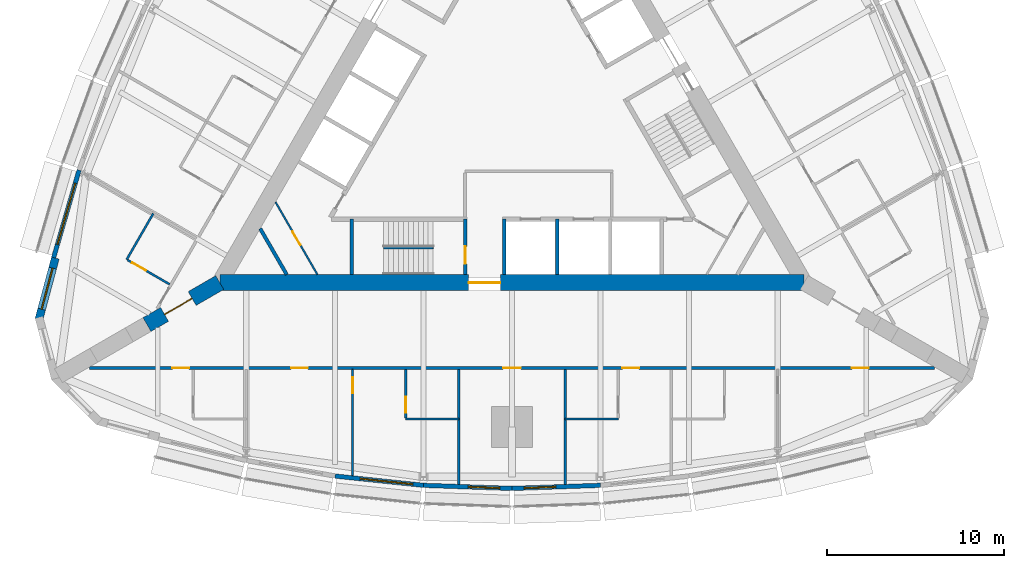
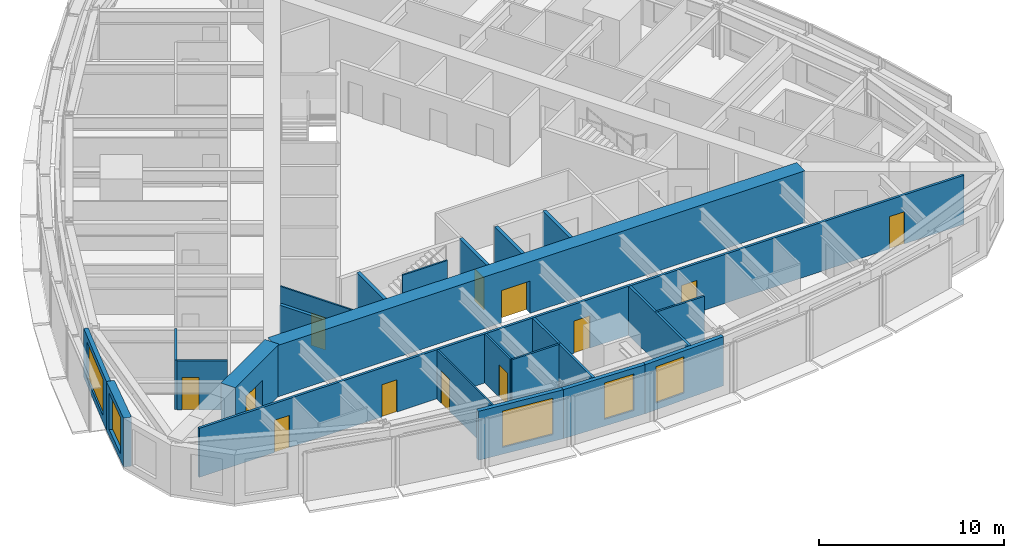
# One storey, part 8 of 14: 23 walls, 12 doors, 5 windows, 17 openings.
"""IFC4 building model written with IfcOpenShell, lengths in metres."""

import ifcopenshell
import ifcopenshell.guid

model = None  # the IFC model being written
_history = None  # IfcOwnerHistory: only IFC2X3 demands one
_inside = {}  # id of a spatial element -> (the spatial element, [elements in it])
_under = {}  # id of a project, library or spatial element -> (it, [spatial elements below it])
_declared = {}  # id of a project -> (the project, [libraries it declares])
_typed = {}  # id of a type object -> (the type object, [elements of that type])
_made_of = {}  # id of a material, layer set ... -> (it, [elements and type objects made of it])


def new_model(schema):
    """Start an empty IFC model of exactly this schema.

    Asked for "IFC4X3", IfcOpenShell would pick the latest addendum, in which some entities
    have other attributes; the version numbers below select the first issue.
    IFC2X3 requires an IfcOwnerHistory on every rooted entity: one is made here for all.
    """
    global model, _history
    if schema == "IFC4X3":
        model = ifcopenshell.file(schema_version=(4, 3, 0, 0))
    else:
        model = ifcopenshell.file(schema=schema)
    _inside.clear()
    _under.clear()
    _declared.clear()
    _typed.clear()
    _made_of.clear()
    _history = None
    if model.schema == "IFC2X3":
        org = make("IfcOrganization", Name="unknown")
        user = make(
            "IfcPersonAndOrganization",
            ThePerson=make("IfcPerson", FamilyName="unknown"),
            TheOrganization=org,
        )
        app = make(
            "IfcApplication",
            ApplicationDeveloper=org,
            Version="unknown",
            ApplicationFullName="unknown",
            ApplicationIdentifier="unknown",
        )
        _history = make(
            "IfcOwnerHistory",
            OwningUser=user,
            OwningApplication=app,
            ChangeAction="ADDED",
            CreationDate=0,
        )
    return model


def make(cls, **values):
    """One entity of the class cls with the attributes given. An attribute that is None is left unset."""
    return model.create_entity(
        cls, **{name: value for name, value in values.items() if value is not None}
    )


def rooted(cls, **values):
    """An entity with a GlobalId (a new one), such as an element, a storey or a relation."""
    return make(cls, GlobalId=ifcopenshell.guid.new(), OwnerHistory=_history, **values)


def si_unit(unit_type, name, prefix=None):
    """IfcSIUnit, for example si_unit("LENGTHUNIT", "METRE", prefix="MILLI")."""
    return make("IfcSIUnit", UnitType=unit_type, Prefix=prefix, Name=name)


def assignment(units):
    """IfcUnitAssignment: the units of a project."""
    return None if units is None else make("IfcUnitAssignment", Units=units)


def point(xyz):
    """IfcCartesianPoint."""
    return None if xyz is None else make("IfcCartesianPoint", Coordinates=xyz)


def direction(xyz):
    """IfcDirection."""
    return None if xyz is None else make("IfcDirection", DirectionRatios=xyz)


def frame(location, z_axis=None, x_axis=None):
    """IfcAxis2Placement3D, a coordinate frame: its origin and axes. An axis left out is left unset."""
    return make(
        "IfcAxis2Placement3D",
        Location=point(location),
        Axis=direction(z_axis),
        RefDirection=direction(x_axis),
    )


def frame_2d(location, x_axis=None):
    """IfcAxis2Placement2D, a coordinate frame in the plane: its origin and x axis."""
    return make(
        "IfcAxis2Placement2D", Location=point(location), RefDirection=direction(x_axis)
    )


def origin():
    """The frame at (0, 0, 0) with its axes left unset."""
    return frame((0.0, 0.0, 0.0))


def place(relative_to, where):
    """IfcLocalPlacement: puts the frame where relative to a parent placement (None: the world)."""
    return make(
        "IfcLocalPlacement", PlacementRelTo=relative_to, RelativePlacement=where
    )


def context(
    kind, dimensions, precision=None, world=None, true_north=None, identifier=None
):
    """IfcGeometricRepresentationContext, for example the 3D "Model" context."""
    return make(
        "IfcGeometricRepresentationContext",
        ContextIdentifier=identifier,
        ContextType=kind,
        CoordinateSpaceDimension=dimensions,
        Precision=precision,
        WorldCoordinateSystem=world,
        TrueNorth=true_north,
    )


def subcontext(parent, identifier, kind, view, scale=None):
    """IfcGeometricRepresentationSubContext, for example "Body" below "Model"."""
    return make(
        "IfcGeometricRepresentationSubContext",
        ContextIdentifier=identifier,
        ContextType=kind,
        ParentContext=parent,
        TargetScale=scale,
        TargetView=view,
    )


def project(units=None, contexts=None):
    """IfcProject with its units and contexts."""
    return rooted(
        "IfcProject",
        Name="project",
        RepresentationContexts=contexts,
        UnitsInContext=assignment(units),
    )


def spatial(cls, under=None, at=None, **own):
    """A site, building, storey or space (cls), placed at a placement, below another one or the project."""
    s = rooted(cls, ObjectPlacement=at, **own)
    if under is not None:
        _under.setdefault(under.id(), (under, []))[1].append(s)
    return s


def profile(cls, at=None, kind="AREA", **sizes):
    """A parametric profile (cls). Its sizes go by their IFC names, for example OverallWidth=200.0."""
    return make(cls, ProfileType=kind, Position=at, **sizes)


def rectangle(**sizes):
    """IfcRectangleProfileDef."""
    return profile("IfcRectangleProfileDef", **sizes)


def extrude(swept, where, along, depth):
    """IfcExtrudedAreaSolid: the profile swept, set in the frame where, extruded along a direction by depth."""
    return make(
        "IfcExtrudedAreaSolid",
        SweptArea=swept,
        Position=where,
        ExtrudedDirection=direction(along),
        Depth=depth,
    )


def shape(context_of_items, identifier, shape_type, items):
    """IfcShapeRepresentation: the items that make up one representation, for example the "Body"."""
    return make(
        "IfcShapeRepresentation",
        ContextOfItems=context_of_items,
        RepresentationIdentifier=identifier,
        RepresentationType=shape_type,
        Items=items,
    )


def material(Name=None, Category=None):
    """IfcMaterial."""
    return make("IfcMaterial", Name=Name, Category=Category)


def layer(
    of_material, thickness, ventilated=None, Name=None, Category=None, Priority=None
):
    """IfcMaterialLayer: one layer of a wall or slab, of a material (None: an air gap)."""
    return make(
        "IfcMaterialLayer",
        Material=of_material,
        LayerThickness=thickness,
        IsVentilated=ventilated,
        Name=Name,
        Category=Category,
        Priority=Priority,
    )


def layer_set(layers, Name=None):
    """IfcMaterialLayerSet."""
    return make("IfcMaterialLayerSet", MaterialLayers=layers, LayerSetName=Name)


def made_of(thing, what):
    """Note that an element or type object is made of a material, layer set ...; save() writes the relation."""
    if what is not None:
        _made_of.setdefault(what.id(), (what, []))[1].append(thing)
    return thing


def type_object(cls, material=None, **own):
    """A type object (cls), such as IfcWallType, which elements share."""
    return made_of(rooted(cls, **own), material)


def element(
    cls,
    number,
    at=None,
    inside=None,
    cuts=None,
    type_object=None,
    material=None,
    context=None,
    identifier="Body",
    shape_type=None,
    held_by="IfcProductDefinitionShape",
    body=None,
    shapes=None,
    **own,
):
    """One element of the class cls, such as IfcWall. Its Tag is "e" and its number.

    at: its placement. inside: the storey or other place that contains it. cuts: it is an
    opening in that element (IfcRelVoidsElement). A single representation is given by context,
    identifier, shape_type and body (its items); several are given by shapes. held_by: the class
    of the entity that holds the representations. save() writes the other relations.
    """
    e = rooted(cls, Tag="e%d" % number, ObjectPlacement=at, **own)
    if body is not None:
        shapes = [shape(context, identifier, shape_type, body)]
    if shapes is not None:
        e.Representation = make(held_by, Representations=shapes)
    if inside is not None:
        _inside.setdefault(inside.id(), (inside, []))[1].append(e)
    if cuts is not None:
        rooted(
            "IfcRelVoidsElement", RelatingBuildingElement=cuts, RelatedOpeningElement=e
        )
    if type_object is not None:
        _typed.setdefault(type_object.id(), (type_object, []))[1].append(e)
    return made_of(e, material)


def fill(opening, filler):
    """IfcRelFillsElement: the door or window that sits in an opening."""
    return rooted(
        "IfcRelFillsElement",
        RelatingOpeningElement=opening,
        RelatedBuildingElement=filler,
    )


def aggregate(whole, parts):
    """IfcRelAggregates: a whole, such as a stair, and the parts it consists of."""
    return rooted("IfcRelAggregates", RelatingObject=whole, RelatedObjects=parts)


def save(model, path):
    """Write the relations noted so far, then the file.

    IfcRelAggregates (storeys below a building ...), IfcRelContainedInSpatialStructure (elements
    in a storey), IfcRelDefinesByType, IfcRelAssociatesMaterial and IfcRelDeclares: one each for
    every whole, place, type object, material and project.
    """
    for whole, parts in _under.values():
        aggregate(whole, parts)
    for where, things in _inside.values():
        rooted(
            "IfcRelContainedInSpatialStructure",
            RelatedElements=things,
            RelatingStructure=where,
        )
    for kind, things in _typed.values():
        rooted("IfcRelDefinesByType", RelatedObjects=things, RelatingType=kind)
    for what, things in _made_of.values():
        rooted("IfcRelAssociatesMaterial", RelatedObjects=things, RelatingMaterial=what)
    for by, libraries in _declared.values():
        rooted("IfcRelDeclares", RelatingContext=by, RelatedDefinitions=libraries)
    model.write(path)


model = new_model("IFC4")

# Units and contexts
model_context = context("Model", 3, precision=1e-05, world=origin(), true_north=direction((0.0, 1.0)))
body_context = subcontext(model_context, "Body", "Model", "MODEL_VIEW")
ifc_project = project(units=[si_unit("LENGTHUNIT", "METRE"), si_unit("AREAUNIT", "SQUARE_METRE"), si_unit("VOLUMEUNIT", "CUBIC_METRE"), si_unit("PLANEANGLEUNIT", "RADIAN"), si_unit("MASSUNIT", "GRAM", prefix="KILO")], contexts=[model_context])

# Site, building, storey
site_placement = place(None, origin())
site = spatial("IfcSite", under=ifc_project, at=site_placement, CompositionType="ELEMENT")
building_placement = place(site_placement, origin())
building = spatial("IfcBuilding", under=site, at=building_placement, Name="Trikona Tower", CompositionType="ELEMENT")
storey_placement = place(building_placement, frame((0.0, 0.0, 169.10009765625)))
storey = spatial("IfcBuildingStorey", under=building, at=storey_placement, Name="L45", CompositionType="ELEMENT", Elevation=169.10009765625)

# Wall
ifc_material_1 = material(Name="Metal stud and cement board", Category="gypsum")
ifc_layer_1 = layer(ifc_material_1, 0.1201171875)
ifc_layer_set_1 = layer_set([ifc_layer_1], Name="Bathroom wall 120")
wall_type_1 = type_object("IfcWallType", Name="Bathroom wall 120", PredefinedType="PLUMBINGWALL", material=ifc_layer_set_1)
wall_1_placement = place(storey_placement, frame((-6.0, -17.226318359375, 0.0), z_axis=(0.0, 0.0, 1.0), x_axis=(1.0, 0.0, 0.0)))
element("IfcWall", 1, at=wall_1_placement, inside=storey, type_object=wall_type_1, Name="Bathroom wall 4502.1", PredefinedType="PLUMBINGWALL", context=body_context, shape_type="SweptSolid", body=[
    extrude(rectangle(XDim=3.0, YDim=0.1201171875, at=frame_2d((1.5, 0.0))), origin(), (0.0, 0.0, 1.0), 3.23486328125),
])

# Wall, opening, door
wall_2_placement = place(storey_placement, frame((-6.0, -14.42626953125, 0.0), z_axis=(0.0, 0.0, 1.0), x_axis=(0.0, -1.0, 0.0)))
wall_2 = element("IfcWall", 2, at=wall_2_placement, inside=storey, type_object=wall_type_1, Name="Bathroom wall 4502.1", PredefinedType="PLUMBINGWALL", context=body_context, shape_type="SweptSolid", body=[
    extrude(rectangle(XDim=2.739990234375, YDim=0.1201171875, at=frame_2d((1.3701171875, 0.0))), origin(), (0.0, 0.0, 1.0), 3.23486328125),
])
opening_1_placement = place(wall_2_placement, frame((1.550048828125, 0.0, 0.0)))
opening_1 = element("IfcOpeningElement", 3, at=opening_1_placement, cuts=wall_2, Name="Opening D2", PredefinedType="OPENING", context=body_context, shape_type="SweptSolid", body=[
    extrude(rectangle(XDim=0.89990234375, YDim=2.1298828125, at=frame_2d((0.449951171875, 1.06494140625))), frame((0.0, 0.070068359375, 0.0), z_axis=(0.0, -1.0, 0.0), x_axis=(1.0, 0.0, 0.0)), (0.0, 0.0, 1.0), 0.14013671875),
])
ifc_material_2 = material(Name="Steel door frame with solid-core timber leaf", Category="steel")
door_type_1 = type_object("IfcDoorType", Name="Bathroom door 900x2130", OperationType="SLIDING_TO_LEFT", PredefinedType="DOOR", material=ifc_material_2)
door_1_placement = place(opening_1_placement, origin())
door_1 = element("IfcDoor", 4, at=door_1_placement, inside=storey, type_object=door_type_1, Name="Bathroom door 4502.1", OperationType="SLIDING_TO_LEFT", OverallHeight=2.1298828125, OverallWidth=0.89990234375, PredefinedType="DOOR", context=body_context, shape_type="SweptSolid", body=[
    extrude(rectangle(XDim=0.89990234375, YDim=2.1298828125, at=frame_2d((0.449951171875, 1.06494140625))), frame((0.0, 0.02490234375, 0.0), z_axis=(0.0, -1.0, 0.0), x_axis=(1.0, 0.0, 0.0)), (0.0, 0.0, 1.0), 0.050048828125),
])
fill(opening_1, door_1)

# Walls
for number, where, z_axis, x_axis, name in (
    (5, (3.0, -17.226318359375, 0.0), (0.0, 0.0, 1.0), (1.0, 0.0, 0.0), "Bathroom wall 4503"),
    (6, (-20.25341796875, -5.627197265625, 0.0), (0.0, 0.0, 1.0), (-0.499990139034, -0.866031096941, 0.0), "Bathroom wall 4513"),
):
    element("IfcWall", number, at=place(storey_placement, frame(where, z_axis=z_axis, x_axis=x_axis)), inside=storey, type_object=wall_type_1, Name=name, PredefinedType="PLUMBINGWALL", context=body_context, shape_type="SweptSolid", body=[
        extrude(rectangle(XDim=3.0, YDim=0.1201171875, at=frame_2d((1.5, 0.0))), origin(), (0.0, 0.0, 1.0), 3.23486328125),
    ])

# Wall, opening, door
wall_3_placement = place(storey_placement, frame((-19.32861328125, -9.625244140625, 0.0), z_axis=(0.0, 0.0, 1.0), x_axis=(-0.866035715982, 0.499982138324, 0.0)))
wall_3 = element("IfcWall", 7, at=wall_3_placement, inside=storey, type_object=wall_type_1, Name="Bathroom wall 4513", PredefinedType="PLUMBINGWALL", context=body_context, shape_type="SweptSolid", body=[
    extrude(rectangle(XDim=2.73974609375, YDim=0.1201171875, at=frame_2d((1.369873046875, 0.0))), origin(), (0.0, 0.0, 1.0), 3.23486328125),
])
opening_2_placement = place(wall_3_placement, frame((1.550048828125, 0.0, 0.0)))
opening_2 = element("IfcOpeningElement", 8, at=opening_2_placement, cuts=wall_3, Name="Opening D2", PredefinedType="OPENING", context=body_context, shape_type="SweptSolid", body=[
    extrude(rectangle(XDim=0.89990234375, YDim=2.1298828125, at=frame_2d((0.449951171875, 1.06494140625))), frame((0.0, 0.070068359375, 0.0), z_axis=(0.0, -1.0, 0.0), x_axis=(1.0, 0.0, 0.0)), (0.0, 0.0, 1.0), 0.14013671875),
])
door_2_placement = place(opening_2_placement, origin())
door_2 = element("IfcDoor", 9, at=door_2_placement, inside=storey, type_object=door_type_1, Name="Bathroom door 4513", OperationType="SLIDING_TO_LEFT", OverallHeight=2.1298828125, OverallWidth=0.89990234375, PredefinedType="DOOR", context=body_context, shape_type="SweptSolid", body=[
    extrude(rectangle(XDim=0.89990234375, YDim=2.1298828125, at=frame_2d((0.449951171875, 1.06494140625))), frame((0.0, 0.02490234375, 0.0), z_axis=(0.0, -1.0, 0.0), x_axis=(1.0, 0.0, 0.0)), (0.0, 0.0, 1.0), 0.050048828125),
])
fill(opening_2, door_2)

# Wall, opening, window
ifc_material_3 = material(Name="Brick-faced precast concrete", Category="masonry")
ifc_layer_2 = layer(ifc_material_3, 0.449951171875)
ifc_layer_set_2 = layer_set([ifc_layer_2], Name="Brick-faced corner wall 450")
wall_type_2 = type_object("IfcWallType", Name="Brick-faced corner wall 450", PredefinedType="SOLIDWALL", material=ifc_layer_set_2)
wall_4_placement = place(storey_placement, frame((-25.78271484375, -8.14111328125, 0.0), z_axis=(0.0, 0.0, 1.0), x_axis=(-0.258823421857, -0.965924653531, 0.0)))
wall_4 = element("IfcWall", 10, at=wall_4_placement, inside=storey, type_object=wall_type_2, Name="External wall L45-32", PredefinedType="SOLIDWALL", context=body_context, shape_type="SweptSolid", body=[
    extrude(rectangle(XDim=3.58642578125, YDim=0.449951171875, at=frame_2d((1.793212890625, 0.0))), origin(), (0.0, 0.0, 1.0), 3.23486328125),
])
opening_3_placement = place(wall_4_placement, frame((0.593017578125, 0.0, 0.449951171875)))
opening_3 = element("IfcOpeningElement", 11, at=opening_3_placement, cuts=wall_4, Name="Opening W2424", PredefinedType="OPENING", context=body_context, shape_type="SweptSolid", body=[
    extrude(rectangle(XDim=2.39990234375, YDim=2.39990234375, at=frame_2d((1.199951171875, 1.199951171875))), frame((0.0, 0.23486328125, 0.0), z_axis=(0.0, -1.0, 0.0), x_axis=(1.0, 0.0, 0.0)), (0.0, 0.0, 1.0), 0.469970703125),
])
ifc_material_4 = material(Name="Aluminium-framed double glazing", Category="aluminium")
window_type_1 = type_object("IfcWindowType", Name="Window 2400x2400", PartitioningType="SINGLE_PANEL", PredefinedType="WINDOW", material=ifc_material_4)
window_1_placement = place(opening_3_placement, origin())
window_1 = element("IfcWindow", 12, at=window_1_placement, inside=storey, type_object=window_type_1, Name="Window 4513", OverallHeight=2.39990234375, OverallWidth=2.39990234375, PartitioningType="SINGLE_PANEL", PredefinedType="WINDOW", context=body_context, shape_type="SweptSolid", body=[
    extrude(rectangle(XDim=2.39990234375, YDim=2.39990234375, at=frame_2d((1.199951171875, 1.199951171875))), frame((0.0, 0.030029296875, 0.0), z_axis=(0.0, -1.0, 0.0), x_axis=(1.0, 0.0, 0.0)), (0.0, 0.0, 1.0), 0.06005859375),
])
fill(opening_3, window_1)

# Wall, opening, door
ifc_material_5 = material(Name="Concrete f'c 10000 psi", Category="concrete")
ifc_layer_3 = layer(ifc_material_5, 0.89990234375)
ifc_layer_set_3 = layer_set([ifc_layer_3], Name="Buttress wall 900")
wall_type_3 = type_object("IfcWallType", Name="Buttress wall 900", PredefinedType="SHEAR", material=ifc_layer_set_3)
wall_5_placement = place(storey_placement, frame((-16.5, -9.5263671875, 0.0), z_axis=(0.0, 0.0, 1.0), x_axis=(-0.866031398331, -0.499989616998, 0.0)))
wall_5 = element("IfcWall", 13, at=wall_5_placement, inside=storey, type_object=wall_type_3, Name="Buttress wall 3", PredefinedType="SHEAR", context=body_context, shape_type="SweptSolid", body=[
    extrude(rectangle(XDim=4.74609375, YDim=0.89990234375, at=frame_2d((2.373046875, 0.0))), origin(), (0.0, 0.0, 1.0), 3.39990234375),
])
opening_4_placement = place(wall_5_placement, frame((1.800048828125, 0.0, 0.0)))
opening_4 = element("IfcOpeningElement", 14, at=opening_4_placement, cuts=wall_5, Name="Opening D10", PredefinedType="OPENING", context=body_context, shape_type="SweptSolid", body=[
    extrude(rectangle(XDim=1.800048828125, YDim=2.1298828125, at=frame_2d((0.89990234375, 1.06494140625))), frame((0.0, 0.4599609375, 0.0), z_axis=(0.0, -1.0, 0.0), x_axis=(1.0, 0.0, 0.0)), (0.0, 0.0, 1.0), 0.919921875),
])
ifc_material_6 = material(Name="Hollow metal door and frame", Category="steel")
door_type_2 = type_object("IfcDoorType", Name="Cross-corridor door pair 1800x2130", OperationType="DOUBLE_DOOR_DOUBLE_SWING", PredefinedType="DOOR", material=ifc_material_6)
door_3_placement = place(opening_4_placement, origin())
door_3 = element("IfcDoor", 15, at=door_3_placement, inside=storey, type_object=door_type_2, Name="Cross-corridor door 3", OperationType="DOUBLE_DOOR_DOUBLE_SWING", OverallHeight=2.1298828125, OverallWidth=1.800048828125, PredefinedType="DOOR", context=body_context, shape_type="SweptSolid", body=[
    extrude(rectangle(XDim=1.800048828125, YDim=2.1298828125, at=frame_2d((0.89990234375, 1.06494140625))), frame((0.0, 0.02490234375, 0.0), z_axis=(0.0, -1.0, 0.0), x_axis=(1.0, 0.0, 0.0)), (0.0, 0.0, 1.0), 0.050048828125),
])
fill(opening_4, door_3)

ifc_material_7 = material(Name="Concrete f'c 10000 psi", Category="concrete")
ifc_layer_4 = layer(ifc_material_7, 0.89990234375)
ifc_layer_set_4 = layer_set([ifc_layer_4], Name="Core wall 900")
wall_type_4 = type_object("IfcWallType", Name="Core wall 900", PredefinedType="SHEAR", material=ifc_layer_set_4)
wall_6_placement = place(storey_placement, frame((-16.5, -9.5263671875, 0.0), z_axis=(0.0, 0.0, 1.0), x_axis=(1.0, 0.0, 0.0)))
wall_6 = element("IfcWall", 16, at=wall_6_placement, inside=storey, type_object=wall_type_4, Name="Core wall A", PredefinedType="SHEAR", context=body_context, shape_type="SweptSolid", body=[
    extrude(rectangle(XDim=33.0, YDim=0.89990234375, at=frame_2d((16.5, 0.0))), origin(), (0.0, 0.0, 1.0), 3.39990234375),
])
opening_5_placement = place(wall_6_placement, frame((14.050048828125, 0.0, 0.0)))
opening_5 = element("IfcOpeningElement", 17, at=opening_5_placement, cuts=wall_6, Name="Opening D6", PredefinedType="OPENING", context=body_context, shape_type="SweptSolid", body=[
    extrude(rectangle(XDim=1.800048828125, YDim=2.1298828125, at=frame_2d((0.89990234375, 1.06494140625))), frame((0.0, 0.4599609375, 0.0), z_axis=(0.0, -1.0, 0.0), x_axis=(1.0, 0.0, 0.0)), (0.0, 0.0, 1.0), 0.919921875),
])
ifc_material_8 = material(Name="Hollow metal door and frame", Category="steel")
door_type_3 = type_object("IfcDoorType", Name="Lobby door pair 1800x2130", OperationType="DOUBLE_DOOR_SINGLE_SWING", PredefinedType="DOOR", material=ifc_material_8)
door_4_placement = place(opening_5_placement, origin())
door_4 = element("IfcDoor", 18, at=door_4_placement, inside=storey, type_object=door_type_3, Name="Fire service lift lobby door", OperationType="DOUBLE_DOOR_SINGLE_SWING", OverallHeight=2.1298828125, OverallWidth=1.800048828125, PredefinedType="DOOR", context=body_context, shape_type="SweptSolid", body=[
    extrude(rectangle(XDim=1.800048828125, YDim=2.1298828125, at=frame_2d((0.89990234375, 1.06494140625))), frame((0.0, 0.02490234375, 0.0), z_axis=(0.0, -1.0, 0.0), x_axis=(1.0, 0.0, 0.0)), (0.0, 0.0, 1.0), 0.050048828125),
])
fill(opening_5, door_4)

# Wall, openings, doors
ifc_material_9 = material(Name="Metal stud and gypsum board, 1-hour", Category="gypsum")
ifc_layer_5 = layer(ifc_material_9, 0.14990234375)
ifc_layer_set_5 = layer_set([ifc_layer_5], Name="Corridor wall 150")
wall_type_5 = type_object("IfcWallType", Name="Corridor wall 150", PredefinedType="PARTITIONING", material=ifc_layer_set_5)
wall_7_placement = place(storey_placement, frame((-23.857177734375, -14.351318359375, 0.0), z_axis=(0.0, 0.0, 1.0), x_axis=(1.0, 0.0, 0.0)))
wall_7 = element("IfcWall", 19, at=wall_7_placement, inside=storey, type_object=wall_type_5, Name="Corridor wall L45-1", PredefinedType="PARTITIONING", context=body_context, shape_type="SweptSolid", body=[
    extrude(rectangle(XDim=47.71435546875, YDim=0.14990234375, at=frame_2d((23.857177734375, 0.0))), origin(), (0.0, 0.0, 1.0), 3.23486328125),
])
opening_6_placement = place(wall_7_placement, frame((4.68212890625, 0.0, 0.0)))
opening_6 = element("IfcOpeningElement", 20, at=opening_6_placement, cuts=wall_7, Name="Opening D1", PredefinedType="OPENING", context=body_context, shape_type="SweptSolid", body=[
    extrude(rectangle(XDim=0.949951171875, YDim=2.1298828125, at=frame_2d((0.47509765625, 1.06494140625))), frame((0.0, 0.0849609375, 0.0), z_axis=(0.0, -1.0, 0.0), x_axis=(1.0, 0.0, 0.0)), (0.0, 0.0, 1.0), 0.169921875),
])
opening_7_placement = place(wall_7_placement, frame((11.382080078125, 0.0, 0.0)))
opening_7 = element("IfcOpeningElement", 21, at=opening_7_placement, cuts=wall_7, Name="Opening D1", PredefinedType="OPENING", context=body_context, shape_type="SweptSolid", body=[
    extrude(rectangle(XDim=0.949951171875, YDim=2.1298828125, at=frame_2d((0.47509765625, 1.06494140625))), frame((0.0, 0.0849609375, 0.0), z_axis=(0.0, -1.0, 0.0), x_axis=(1.0, 0.0, 0.0)), (0.0, 0.0, 1.0), 0.169921875),
])
opening_8_placement = place(wall_7_placement, frame((23.357177734375, 0.0, 0.0)))
opening_8 = element("IfcOpeningElement", 22, at=opening_8_placement, cuts=wall_7, Name="Opening D3", PredefinedType="OPENING", context=body_context, shape_type="SweptSolid", body=[
    extrude(rectangle(XDim=1.0, YDim=2.1298828125, at=frame_2d((0.5, 1.06494140625))), frame((0.0, 0.0849609375, 0.0), z_axis=(0.0, -1.0, 0.0), x_axis=(1.0, 0.0, 0.0)), (0.0, 0.0, 1.0), 0.169921875),
])
opening_9_placement = place(wall_7_placement, frame((30.08203125, 0.0, 0.0)))
opening_9 = element("IfcOpeningElement", 23, at=opening_9_placement, cuts=wall_7, Name="Opening D1", PredefinedType="OPENING", context=body_context, shape_type="SweptSolid", body=[
    extrude(rectangle(XDim=0.949951171875, YDim=2.1298828125, at=frame_2d((0.47509765625, 1.06494140625))), frame((0.0, 0.0849609375, 0.0), z_axis=(0.0, -1.0, 0.0), x_axis=(1.0, 0.0, 0.0)), (0.0, 0.0, 1.0), 0.169921875),
])
opening_10_placement = place(wall_7_placement, frame((43.041015625, 0.0, 0.0)))
opening_10 = element("IfcOpeningElement", 24, at=opening_10_placement, cuts=wall_7, Name="Opening D1", PredefinedType="OPENING", context=body_context, shape_type="SweptSolid", body=[
    extrude(rectangle(XDim=0.949951171875, YDim=2.1298828125, at=frame_2d((0.47509765625, 1.06494140625))), frame((0.0, 0.0849609375, 0.0), z_axis=(0.0, -1.0, 0.0), x_axis=(1.0, 0.0, 0.0)), (0.0, 0.0, 1.0), 0.169921875),
])
ifc_material_10 = material(Name="Steel door frame with solid-core timber leaf", Category="steel")
door_type_4 = type_object("IfcDoorType", Name="Guest room door 950x2130", OperationType="SINGLE_SWING_LEFT", PredefinedType="DOOR", material=ifc_material_10)
door_5_placement = place(opening_6_placement, origin())
door_5 = element("IfcDoor", 25, at=door_5_placement, inside=storey, type_object=door_type_4, Name="Room door 4501", OperationType="SINGLE_SWING_LEFT", OverallHeight=2.1298828125, OverallWidth=0.949951171875, PredefinedType="DOOR", context=body_context, shape_type="SweptSolid", body=[
    extrude(rectangle(XDim=0.949951171875, YDim=2.1298828125, at=frame_2d((0.47509765625, 1.06494140625))), frame((0.0, 0.02490234375, 0.0), z_axis=(0.0, -1.0, 0.0), x_axis=(1.0, 0.0, 0.0)), (0.0, 0.0, 1.0), 0.050048828125),
])
fill(opening_6, door_5)
door_6_placement = place(opening_7_placement, origin())
door_6 = element("IfcDoor", 26, at=door_6_placement, inside=storey, type_object=door_type_4, Name="Room door 4502", OperationType="SINGLE_SWING_RIGHT", OverallHeight=2.1298828125, OverallWidth=0.949951171875, PredefinedType="DOOR", context=body_context, shape_type="SweptSolid", body=[
    extrude(rectangle(XDim=0.949951171875, YDim=2.1298828125, at=frame_2d((0.47509765625, 1.06494140625))), frame((0.0, 0.02490234375, 0.0), z_axis=(0.0, -1.0, 0.0), x_axis=(1.0, 0.0, 0.0)), (0.0, 0.0, 1.0), 0.050048828125),
])
fill(opening_7, door_6)
door_7_placement = place(opening_9_placement, origin())
door_7 = element("IfcDoor", 27, at=door_7_placement, inside=storey, type_object=door_type_4, Name="Room door 4503", OperationType="SINGLE_SWING_RIGHT", OverallHeight=2.1298828125, OverallWidth=0.949951171875, PredefinedType="DOOR", context=body_context, shape_type="SweptSolid", body=[
    extrude(rectangle(XDim=0.949951171875, YDim=2.1298828125, at=frame_2d((0.47509765625, 1.06494140625))), frame((0.0, 0.02490234375, 0.0), z_axis=(0.0, -1.0, 0.0), x_axis=(1.0, 0.0, 0.0)), (0.0, 0.0, 1.0), 0.050048828125),
])
fill(opening_9, door_7)
door_8_placement = place(opening_10_placement, origin())
door_8 = element("IfcDoor", 28, at=door_8_placement, inside=storey, type_object=door_type_4, Name="Room door 4504", OperationType="SINGLE_SWING_RIGHT", OverallHeight=2.1298828125, OverallWidth=0.949951171875, PredefinedType="DOOR", context=body_context, shape_type="SweptSolid", body=[
    extrude(rectangle(XDim=0.949951171875, YDim=2.1298828125, at=frame_2d((0.47509765625, 1.06494140625))), frame((0.0, 0.02490234375, 0.0), z_axis=(0.0, -1.0, 0.0), x_axis=(1.0, 0.0, 0.0)), (0.0, 0.0, 1.0), 0.050048828125),
])
fill(opening_10, door_8)
ifc_material_11 = material(Name="Steel door frame with solid-core timber leaf", Category="steel")
door_type_5 = type_object("IfcDoorType", Name="Room door 1000x2130", OperationType="SINGLE_SWING_LEFT", PredefinedType="DOOR", material=ifc_material_11)
door_9_placement = place(opening_8_placement, origin())
door_9 = element("IfcDoor", 29, at=door_9_placement, inside=storey, type_object=door_type_5, Name="Door Housekeeping pantry", OperationType="SINGLE_SWING_LEFT", OverallHeight=2.1298828125, OverallWidth=1.0, PredefinedType="DOOR", context=body_context, shape_type="SweptSolid", body=[
    extrude(rectangle(XDim=1.0, YDim=2.1298828125, at=frame_2d((0.5, 1.06494140625))), frame((0.0, 0.02490234375, 0.0), z_axis=(0.0, -1.0, 0.0), x_axis=(1.0, 0.0, 0.0)), (0.0, 0.0, 1.0), 0.050048828125),
])
fill(opening_8, door_9)

# Wall, opening, window
ifc_material_12 = material(Name="Insulated precast concrete spandrel panel", Category="concrete")
ifc_layer_6 = layer(ifc_material_12, 0.25)
ifc_layer_set_6 = layer_set([ifc_layer_6], Name="Inner skin wall 250")
wall_type_6 = type_object("IfcWallType", Name="Inner skin wall 250", PredefinedType="STANDARD", material=ifc_layer_set_6)
wall_8_placement = place(storey_placement, frame((-9.98681640625, -20.450927734375, 0.0), z_axis=(0.0, 0.0, 1.0), x_axis=(0.994534683851, -0.104406717299, 0.0)))
wall_8 = element("IfcWall", 30, at=wall_8_placement, inside=storey, type_object=wall_type_6, Name="External wall L45-02", PredefinedType="STANDARD", context=body_context, shape_type="SweptSolid", body=[
    extrude(rectangle(XDim=5.027587890625, YDim=0.25, at=frame_2d((2.513671875, 0.0))), origin(), (0.0, 0.0, 1.0), 3.23486328125),
])
opening_11_placement = place(wall_8_placement, frame((1.41796875, 0.0, 0.449951171875)))
opening_11 = element("IfcOpeningElement", 31, at=opening_11_placement, cuts=wall_8, Name="Opening W3024", PredefinedType="OPENING", context=body_context, shape_type="SweptSolid", body=[
    extrude(rectangle(XDim=3.0, YDim=2.39990234375, at=frame_2d((1.5, 1.199951171875))), frame((0.0, 0.135009765625, 0.0), z_axis=(0.0, -1.0, 0.0), x_axis=(1.0, 0.0, 0.0)), (0.0, 0.0, 1.0), 0.27001953125),
])
ifc_material_13 = material(Name="Aluminium-framed double glazing", Category="aluminium")
window_type_2 = type_object("IfcWindowType", Name="Window 3000x2400", PartitioningType="SINGLE_PANEL", PredefinedType="WINDOW", material=ifc_material_13)
window_2_placement = place(opening_11_placement, origin())
window_2 = element("IfcWindow", 32, at=window_2_placement, inside=storey, type_object=window_type_2, Name="Window 4502.1", OverallHeight=2.39990234375, OverallWidth=3.0, PartitioningType="SINGLE_PANEL", PredefinedType="WINDOW", context=body_context, shape_type="SweptSolid", body=[
    extrude(rectangle(XDim=3.0, YDim=2.39990234375, at=frame_2d((1.5, 1.199951171875))), frame((0.0, 0.030029296875, 0.0), z_axis=(0.0, -1.0, 0.0), x_axis=(1.0, 0.0, 0.0)), (0.0, 0.0, 1.0), 0.06005859375),
])
fill(opening_11, window_2)

wall_9_placement = place(storey_placement, frame((-4.99560546875, -20.975341796875, 0.0), z_axis=(0.0, 0.0, 1.0), x_axis=(0.999387720943, -0.034988329879, 0.0)))
wall_9 = element("IfcWall", 33, at=wall_9_placement, inside=storey, type_object=wall_type_6, Name="External wall L45-03", PredefinedType="STANDARD", context=body_context, shape_type="SweptSolid", body=[
    extrude(rectangle(XDim=5.003173828125, YDim=0.25, at=frame_2d((2.50146484375, 0.0))), origin(), (0.0, 0.0, 1.0), 3.23486328125),
])
opening_12_placement = place(wall_9_placement, frame((2.519287109375, 0.0, 0.449951171875)))
opening_12 = element("IfcOpeningElement", 34, at=opening_12_placement, cuts=wall_9, Name="Opening W1824", PredefinedType="OPENING", context=body_context, shape_type="SweptSolid", body=[
    extrude(rectangle(XDim=1.800048828125, YDim=2.39990234375, at=frame_2d((0.89990234375, 1.199951171875))), frame((0.0, 0.135009765625, 0.0), z_axis=(0.0, -1.0, 0.0), x_axis=(1.0, 0.0, 0.0)), (0.0, 0.0, 1.0), 0.27001953125),
])
ifc_material_14 = material(Name="Aluminium-framed double glazing", Category="aluminium")
window_type_3 = type_object("IfcWindowType", Name="Window 1800x2400", PartitioningType="SINGLE_PANEL", PredefinedType="WINDOW", material=ifc_material_14)
window_3_placement = place(opening_12_placement, origin())
window_3 = element("IfcWindow", 35, at=window_3_placement, inside=storey, type_object=window_type_3, Name="Window L45-HKP", OverallHeight=2.39990234375, OverallWidth=1.800048828125, PartitioningType="SINGLE_PANEL", PredefinedType="WINDOW", context=body_context, shape_type="SweptSolid", body=[
    extrude(rectangle(XDim=1.800048828125, YDim=2.39990234375, at=frame_2d((0.89990234375, 1.199951171875))), frame((0.0, 0.030029296875, 0.0), z_axis=(0.0, -1.0, 0.0), x_axis=(1.0, 0.0, 0.0)), (0.0, 0.0, 1.0), 0.06005859375),
])
fill(opening_12, window_3)

wall_10_placement = place(storey_placement, frame((-0.00439453125, -21.150390625, 0.0), z_axis=(0.0, 0.0, 1.0), x_axis=(0.999387720943, 0.034988329879, 0.0)))
wall_10 = element("IfcWall", 36, at=wall_10_placement, inside=storey, type_object=wall_type_6, Name="External wall L45-04", PredefinedType="STANDARD", context=body_context, shape_type="SweptSolid", body=[
    extrude(rectangle(XDim=5.003173828125, YDim=0.25, at=frame_2d((2.50146484375, 0.0))), origin(), (0.0, 0.0, 1.0), 3.23486328125),
])
opening_13_placement = place(wall_10_placement, frame((0.683837890625, 0.0, 0.449951171875)))
opening_13 = element("IfcOpeningElement", 37, at=opening_13_placement, cuts=wall_10, Name="Opening W1824", PredefinedType="OPENING", context=body_context, shape_type="SweptSolid", body=[
    extrude(rectangle(XDim=1.800048828125, YDim=2.39990234375, at=frame_2d((0.89990234375, 1.199951171875))), frame((0.0, 0.135009765625, 0.0), z_axis=(0.0, -1.0, 0.0), x_axis=(1.0, 0.0, 0.0)), (0.0, 0.0, 1.0), 0.27001953125),
])
window_4_placement = place(opening_13_placement, origin())
window_4 = element("IfcWindow", 38, at=window_4_placement, inside=storey, type_object=window_type_3, Name="Window L45-HKP", OverallHeight=2.39990234375, OverallWidth=1.800048828125, PartitioningType="SINGLE_PANEL", PredefinedType="WINDOW", context=body_context, shape_type="SweptSolid", body=[
    extrude(rectangle(XDim=1.800048828125, YDim=2.39990234375, at=frame_2d((0.89990234375, 1.199951171875))), frame((0.0, 0.030029296875, 0.0), z_axis=(0.0, -1.0, 0.0), x_axis=(1.0, 0.0, 0.0)), (0.0, 0.0, 1.0), 0.06005859375),
])
fill(opening_13, window_4)

wall_11_placement = place(storey_placement, frame((-24.44091796875, -3.17529296875, 0.0), z_axis=(0.0, 0.0, 1.0), x_axis=(-0.279528287117, -0.960137457191, 0.0)))
wall_11 = element("IfcWall", 39, at=wall_11_placement, inside=storey, type_object=wall_type_6, Name="External wall L45-31", PredefinedType="STANDARD", context=body_context, shape_type="SweptSolid", body=[
    extrude(rectangle(XDim=5.14794921875, YDim=0.25, at=frame_2d((2.573974609375, 0.0))), origin(), (0.0, 0.0, 1.0), 3.23486328125),
])
opening_14_placement = place(wall_11_placement, frame((0.77392578125, 0.0, 0.449951171875)))
opening_14 = element("IfcOpeningElement", 40, at=opening_14_placement, cuts=wall_11, Name="Opening W3624", PredefinedType="OPENING", context=body_context, shape_type="SweptSolid", body=[
    extrude(rectangle(XDim=3.60009765625, YDim=2.39990234375, at=frame_2d((1.800048828125, 1.199951171875))), frame((0.0, 0.135009765625, 0.0), z_axis=(0.0, -1.0, 0.0), x_axis=(1.0, 0.0, 0.0)), (0.0, 0.0, 1.0), 0.27001953125),
])
ifc_material_15 = material(Name="Aluminium-framed double glazing", Category="aluminium")
window_type_4 = type_object("IfcWindowType", Name="Window 3600x2400", PartitioningType="SINGLE_PANEL", PredefinedType="WINDOW", material=ifc_material_15)
window_5_placement = place(opening_14_placement, origin())
window_5 = element("IfcWindow", 41, at=window_5_placement, inside=storey, type_object=window_type_4, Name="Window 4513", OverallHeight=2.39990234375, OverallWidth=3.60009765625, PartitioningType="SINGLE_PANEL", PredefinedType="WINDOW", context=body_context, shape_type="SweptSolid", body=[
    extrude(rectangle(XDim=3.60009765625, YDim=2.39990234375, at=frame_2d((1.800048828125, 1.199951171875))), frame((0.0, 0.030029296875, 0.0), z_axis=(0.0, -1.0, 0.0), x_axis=(1.0, 0.0, 0.0)), (0.0, 0.0, 1.0), 0.06005859375),
])
fill(opening_14, window_5)

# Walls
ifc_material_16 = material(Name="Metal stud and gypsum board, 1-hour acoustic", Category="gypsum")
ifc_layer_7 = layer(ifc_material_16, 0.14990234375)
ifc_layer_set_7 = layer_set([ifc_layer_7], Name="Party wall 150")
wall_type_7 = type_object("IfcWallType", Name="Party wall 150", PredefinedType="PARTITIONING", material=ifc_layer_set_7)
for number, where, z_axis, x_axis, name in (
    (42, (-3.0, -14.42626953125, 0.0), (0.0, 0.0, 1.0), (0.0, -1.0, 0.0), "Partition L45 F1 u-3"),
    (43, (3.0, -14.42626953125, 0.0), (0.0, 0.0, 1.0), (0.0, -1.0, 0.0), "Partition L45 F1 u3"),
):
    element("IfcWall", number, at=place(storey_placement, frame(where, z_axis=z_axis, x_axis=x_axis)), inside=storey, type_object=wall_type_7, Name=name, PredefinedType="PARTITIONING", context=body_context, shape_type="SweptSolid", body=[
        extrude(rectangle(XDim=6.49365234375, YDim=0.14990234375, at=frame_2d((3.246826171875, 0.0))), origin(), (0.0, 0.0, 1.0), 3.23486328125),
    ])
ifc_material_17 = material(Name="Concrete f'c 8000 psi", Category="concrete")
ifc_layer_8 = layer(ifc_material_17, 0.199951171875)
ifc_layer_set_8 = layer_set([ifc_layer_8], Name="Shaft wall 200")
wall_type_8 = type_object("IfcWallType", Name="Shaft wall 200", PredefinedType="SOLIDWALL", material=ifc_layer_set_8)
for number, where, z_axis, x_axis, name in (
    (44, (-0.449951171875, -5.951416015625, 0.0), (0.0, 0.0, 1.0), (0.0, -1.0, 0.0), "Shaft wall A3"),
    (45, (2.550048828125, -5.951416015625, 0.0), (0.0, 0.0, 1.0), (0.0, -1.0, 0.0), "Shaft wall A4"),
):
    element("IfcWall", number, at=place(storey_placement, frame(where, z_axis=z_axis, x_axis=x_axis)), inside=storey, type_object=wall_type_8, Name=name, PredefinedType="SOLIDWALL", context=body_context, shape_type="SweptSolid", body=[
        extrude(rectangle(XDim=3.125, YDim=0.199951171875, at=frame_2d((1.5625, 0.0))), origin(), (0.0, 0.0, 1.0), 3.23486328125),
    ])
wall_12_placement = place(storey_placement, frame((-12.718505859375, -9.076416015625, 0.0), z_axis=(0.0, 0.0, 1.0), x_axis=(-0.499952404951, 0.866052881055, 0.0)))
element("IfcWall", 46, at=wall_12_placement, inside=storey, type_object=wall_type_8, Name="Riser wall L45-RS3", PredefinedType="SOLIDWALL", context=body_context, shape_type="SweptSolid", body=[
    extrude(rectangle(XDim=3.002197265625, YDim=0.199951171875, at=frame_2d((1.5009765625, 0.0))), origin(), (0.0, 0.0, 1.0), 3.23486328125),
])
ifc_material_18 = material(Name="Concrete f'c 8000 psi", Category="concrete")
ifc_layer_9 = layer(ifc_material_18, 0.199951171875)
ifc_layer_set_9 = layer_set([ifc_layer_9], Name="Shaft wall 200 load-bearing")
wall_type_9 = type_object("IfcWallType", Name="Shaft wall 200 load-bearing", PredefinedType="SOLIDWALL", material=ifc_layer_set_9)
wall_13_placement = place(storey_placement, frame((-9.050048828125, -5.951416015625, 0.0), z_axis=(0.0, 0.0, 1.0), x_axis=(0.0, -1.0, 0.0)))
element("IfcWall", 47, at=wall_13_placement, inside=storey, type_object=wall_type_9, Name="Shaft wall A1", PredefinedType="SOLIDWALL", context=body_context, shape_type="SweptSolid", body=[
    extrude(rectangle(XDim=3.125, YDim=0.199951171875, at=frame_2d((1.5625, 0.0))), origin(), (0.0, 0.0, 1.0), 3.23486328125),
])

# Wall, opening, door
wall_14_placement = place(storey_placement, frame((-2.64990234375, -5.951416015625, 0.0), z_axis=(0.0, 0.0, 1.0), x_axis=(0.0, -1.0, 0.0)))
wall_14 = element("IfcWall", 48, at=wall_14_placement, inside=storey, type_object=wall_type_9, Name="Shaft wall A2", PredefinedType="SOLIDWALL", context=body_context, shape_type="SweptSolid", body=[
    extrude(rectangle(XDim=3.125, YDim=0.199951171875, at=frame_2d((1.5625, 0.0))), origin(), (0.0, 0.0, 1.0), 3.23486328125),
])
opening_15_placement = place(wall_14_placement, frame((1.52490234375, 0.0, 0.0)))
opening_15 = element("IfcOpeningElement", 49, at=opening_15_placement, cuts=wall_14, Name="Opening D5", PredefinedType="OPENING", context=body_context, shape_type="SweptSolid", body=[
    extrude(rectangle(XDim=1.0, YDim=2.1298828125, at=frame_2d((0.5, 1.06494140625))), frame((0.0, 0.10986328125, 0.0), z_axis=(0.0, -1.0, 0.0), x_axis=(1.0, 0.0, 0.0)), (0.0, 0.0, 1.0), 0.219970703125),
])
ifc_material_19 = material(Name="Hollow metal door and frame", Category="steel")
door_type_6 = type_object("IfcDoorType", Name="Stair door 1000x2130", OperationType="SINGLE_SWING_LEFT", PredefinedType="DOOR", material=ifc_material_19)
door_10_placement = place(opening_15_placement, origin())
door_10 = element("IfcDoor", 50, at=door_10_placement, inside=storey, type_object=door_type_6, Name="Stair A door", OperationType="SINGLE_SWING_RIGHT", OverallHeight=2.1298828125, OverallWidth=1.0, PredefinedType="DOOR", context=body_context, shape_type="SweptSolid", body=[
    extrude(rectangle(XDim=1.0, YDim=2.1298828125, at=frame_2d((0.5, 1.06494140625))), frame((0.0, 0.02490234375, 0.0), z_axis=(0.0, -1.0, 0.0), x_axis=(1.0, 0.0, 0.0)), (0.0, 0.0, 1.0), 0.050048828125),
])
fill(opening_15, door_10)

# Wall
ifc_material_20 = material(Name="Concrete f'c 5000 psi", Category="concrete")
ifc_layer_10 = layer(ifc_material_20, 0.10009765625)
ifc_layer_set_10 = layer_set([ifc_layer_10], Name="Stair spine wall 100")
wall_type_10 = type_object("IfcWallType", Name="Stair spine wall 100", PredefinedType="SOLIDWALL", material=ifc_layer_set_10)
wall_15_placement = place(storey_placement, frame((-7.2470703125, -7.576416015625, 0.0), z_axis=(0.0, 0.0, 1.0), x_axis=(1.0, 0.0, 0.0)))
element("IfcWall", 51, at=wall_15_placement, inside=storey, type_object=wall_type_10, Name="Stair A spine wall L45", PredefinedType="SOLIDWALL", context=body_context, shape_type="SweptSolid", body=[
    extrude(rectangle(XDim=2.794189453125, YDim=0.10009765625, at=frame_2d((1.39697265625, 0.0))), origin(), (0.0, 0.0, 1.0), 3.39990234375),
])

# Wall, opening, door
ifc_material_21 = material(Name="Metal stud and gypsum board, acoustic", Category="gypsum")
ifc_layer_11 = layer(ifc_material_21, 0.10009765625)
ifc_layer_set_11 = layer_set([ifc_layer_11], Name="Suite partition 100")
wall_type_11 = type_object("IfcWallType", Name="Suite partition 100", PredefinedType="PARTITIONING", material=ifc_layer_set_11)
wall_16_placement = place(storey_placement, frame((-9.0, -14.42626953125, 0.0), z_axis=(0.0, 0.0, 1.0), x_axis=(0.0, -1.0, 0.0)))
wall_16 = element("IfcWall", 52, at=wall_16_placement, inside=storey, type_object=wall_type_11, Name="Suite partition L45 F1 u-9", PredefinedType="PARTITIONING", context=body_context, shape_type="SweptSolid", body=[
    extrude(rectangle(XDim=6.00244140625, YDim=0.10009765625, at=frame_2d((3.001220703125, 0.0))), origin(), (0.0, 0.0, 1.0), 3.23486328125),
])
opening_16_placement = place(wall_16_placement, frame((0.449951171875, 0.0, 0.0)))
opening_16 = element("IfcOpeningElement", 53, at=opening_16_placement, cuts=wall_16, Name="Opening D13", PredefinedType="OPENING", context=body_context, shape_type="SweptSolid", body=[
    extrude(rectangle(XDim=0.89990234375, YDim=2.1298828125, at=frame_2d((0.449951171875, 1.06494140625))), frame((0.0, 0.06005859375, 0.0), z_axis=(0.0, -1.0, 0.0), x_axis=(1.0, 0.0, 0.0)), (0.0, 0.0, 1.0), 0.1201171875),
])
ifc_material_22 = material(Name="Steel door frame with solid-core timber leaf", Category="steel")
door_type_7 = type_object("IfcDoorType", Name="Suite door 900x2130", OperationType="SINGLE_SWING_LEFT", PredefinedType="DOOR", material=ifc_material_22)
door_11_placement = place(opening_16_placement, origin())
door_11 = element("IfcDoor", 54, at=door_11_placement, inside=storey, type_object=door_type_7, Name="Suite door 4502", OperationType="SINGLE_SWING_LEFT", OverallHeight=2.1298828125, OverallWidth=0.89990234375, PredefinedType="DOOR", context=body_context, shape_type="SweptSolid", body=[
    extrude(rectangle(XDim=0.89990234375, YDim=2.1298828125, at=frame_2d((0.449951171875, 1.06494140625))), frame((0.0, 0.02490234375, 0.0), z_axis=(0.0, -1.0, 0.0), x_axis=(1.0, 0.0, 0.0)), (0.0, 0.0, 1.0), 0.050048828125),
])
fill(opening_16, door_11)

wall_17_placement = place(storey_placement, frame((-10.986328125, -9.076416015625, 0.0), z_axis=(0.0, 0.0, 1.0), x_axis=(-0.499999210213, 0.866025859768, 0.0)))
wall_17 = element("IfcWall", 55, at=wall_17_placement, inside=storey, type_object=wall_type_11, Name="Store partition L45-RS3", PredefinedType="PARTITIONING", context=body_context, shape_type="SweptSolid", body=[
    extrude(rectangle(XDim=4.734375, YDim=0.10009765625, at=frame_2d((2.3671875, 0.0))), origin(), (0.0, 0.0, 1.0), 3.23486328125),
])
opening_17_placement = place(wall_17_placement, frame((1.917236328125, 0.0, 0.0)))
opening_17 = element("IfcOpeningElement", 56, at=opening_17_placement, cuts=wall_17, Name="Opening D15", PredefinedType="OPENING", context=body_context, shape_type="SweptSolid", body=[
    extrude(rectangle(XDim=0.89990234375, YDim=2.1298828125, at=frame_2d((0.449951171875, 1.06494140625))), frame((0.0, 0.06005859375, 0.0), z_axis=(0.0, -1.0, 0.0), x_axis=(1.0, 0.0, 0.0)), (0.0, 0.0, 1.0), 0.1201171875),
])
ifc_material_23 = material(Name="Steel door frame with solid-core timber leaf", Category="steel")
door_type_8 = type_object("IfcDoorType", Name="Store door 900x2130", OperationType="SINGLE_SWING_LEFT", PredefinedType="DOOR", material=ifc_material_23)
door_12_placement = place(opening_17_placement, origin())
door_12 = element("IfcDoor", 57, at=door_12_placement, inside=storey, type_object=door_type_8, Name="Door Amenity store AMS", OperationType="SINGLE_SWING_RIGHT", OverallHeight=2.1298828125, OverallWidth=0.89990234375, PredefinedType="DOOR", context=body_context, shape_type="SweptSolid", body=[
    extrude(rectangle(XDim=0.89990234375, YDim=2.1298828125, at=frame_2d((0.449951171875, 1.06494140625))), frame((0.0, 0.02490234375, 0.0), z_axis=(0.0, -1.0, 0.0), x_axis=(1.0, 0.0, 0.0)), (0.0, 0.0, 1.0), 0.050048828125),
])
fill(opening_17, door_12)

save(model, "model.ifc")
